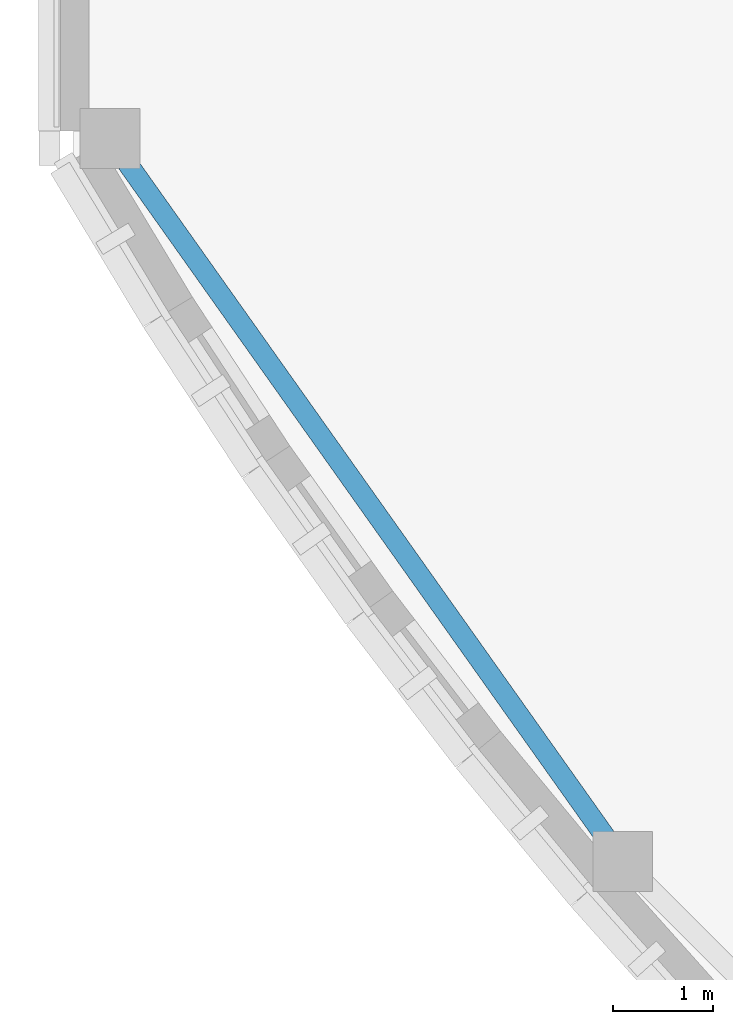
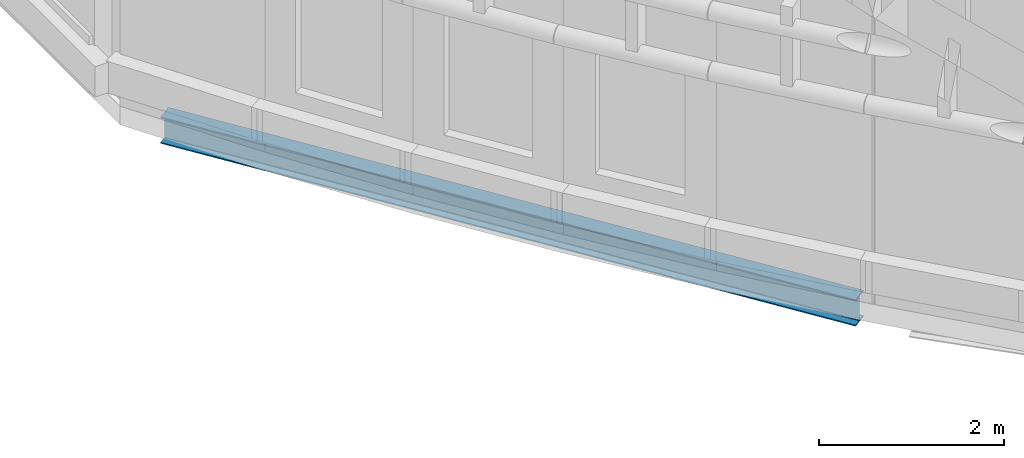
# One storey, part 12 of 121: 1 beam.
"""IFC4 building model written with IfcOpenShell, lengths in metres."""

from ifc_helpers import new_model, si_unit, derived_unit, direction, frame, origin, origin_2d, place, context, subcontext, project, spatial, i_section, extrude, material, material_profile, profile_set, type_object, element, save


model = new_model("IFC4")

# Units and contexts
model_context = context("Model", 3, precision=1e-05, world=origin(), true_north=direction((0.0, 1.0)))
body_context = subcontext(model_context, "Body", "Model", "MODEL_VIEW")
ifc_project = project(units=[si_unit("LENGTHUNIT", "METRE"), si_unit("AREAUNIT", "SQUARE_METRE"), si_unit("VOLUMEUNIT", "CUBIC_METRE"), si_unit("PLANEANGLEUNIT", "RADIAN"), si_unit("MASSUNIT", "GRAM", prefix="KILO"), derived_unit("THERMALTRANSMITTANCEUNIT", [(si_unit("MASSUNIT", "GRAM", prefix="KILO"), 1), (si_unit("TIMEUNIT", "SECOND"), -3), (si_unit("THERMODYNAMICTEMPERATUREUNIT", "KELVIN"), -1)])], contexts=[model_context])

# Site, building, storey
site_placement = place(None, origin())
site = spatial("IfcSite", under=ifc_project, at=site_placement, CompositionType="ELEMENT")
building_placement = place(site_placement, origin())
building = spatial("IfcBuilding", under=site, at=building_placement, Name="Veyamyaing Civic Hall", CompositionType="ELEMENT")
storey_placement = place(building_placement, frame((0.0, 0.0, 5.280029296875)))
storey = spatial("IfcBuildingStorey", under=building, at=storey_placement, Name="L01", CompositionType="ELEMENT", Elevation=5.280029296875)

# Beam
ifc_material = material(Name="Steel ASTM A992", Category="steel")
ifc_material_profile = material_profile(ifc_material, i_section(OverallWidth=0.2041015625, OverallDepth=0.35009765625, WebThickness=0.0078125, FlangeThickness=0.01513671875, FilletRadius=0.010009765625, at=origin_2d()), Name="W360X72")
ifc_profile_set = profile_set([ifc_material_profile], Name="Steel ASTM A992")
beam_type = type_object("IfcBeamType", Name="B-11", PredefinedType="SPANDREL", material=ifc_profile_set)
beam_placement = place(storey_placement, frame((56.537353515625, 33.53466796875, -0.419921875), z_axis=(0.578662285773, -0.815567262109, 0.0), x_axis=(0.815567262109, 0.578662285773, 0.0)))
element("IfcBeam", 1, at=beam_placement, inside=storey, type_object=beam_type, Name="Curved corner spandrel B-11 L01 SW.1", PredefinedType="SPANDREL", context=body_context, shape_type="SweptSolid", body=[
    extrude(i_section(OverallWidth=0.2041015625, OverallDepth=0.35009765625, WebThickness=0.0078125, FlangeThickness=0.01513671875, FilletRadius=0.010009765625, at=origin_2d()), origin(), (0.0, 0.0, 1.0), 8.284423828125),
])

save(model, "model.ifc")
